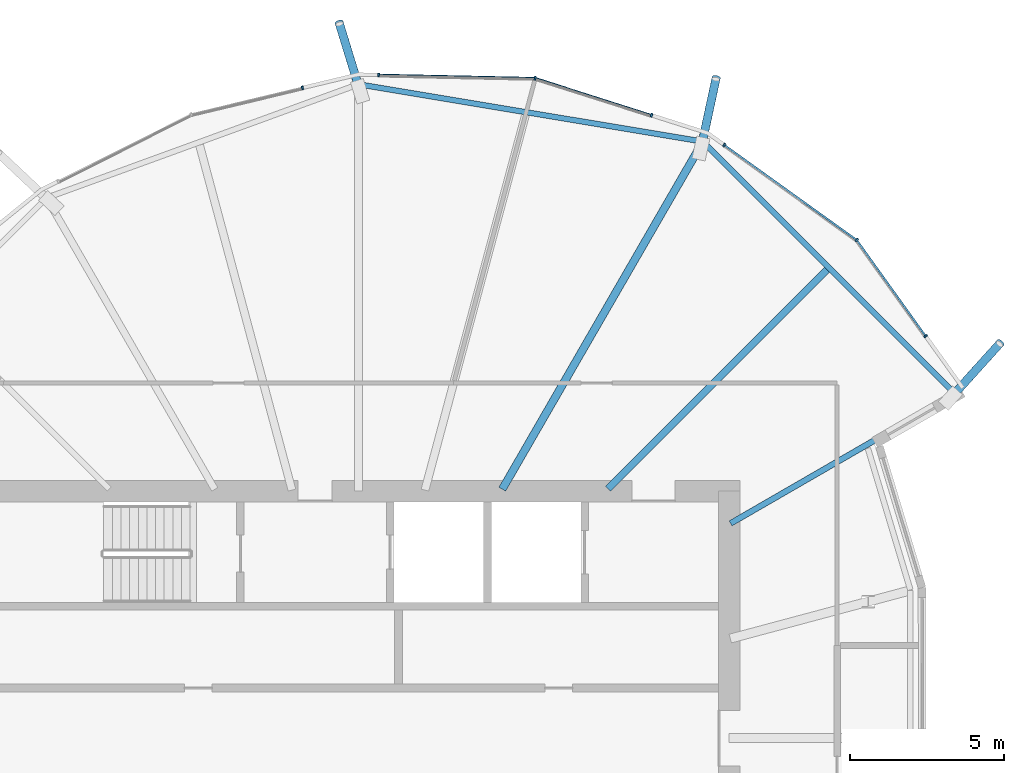
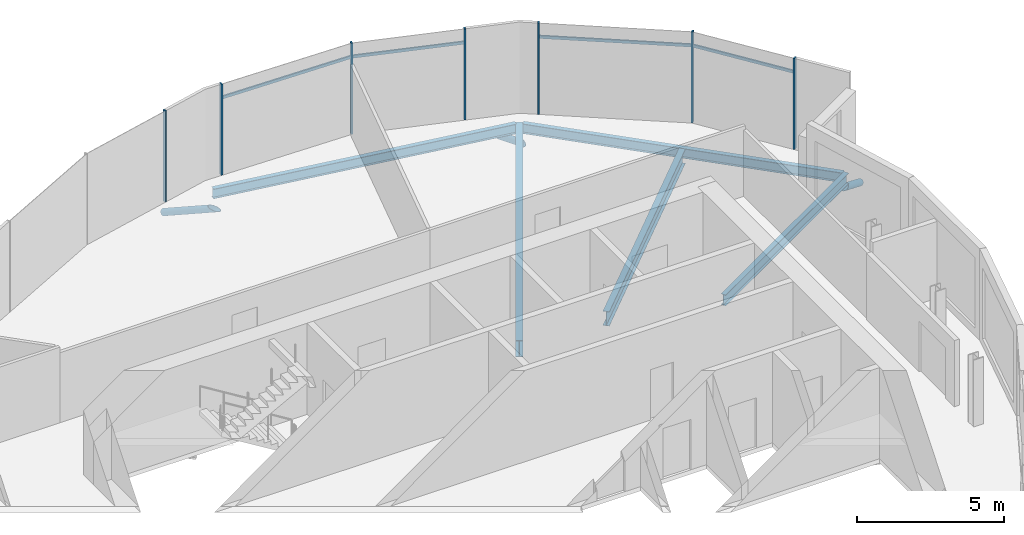
# One storey, part 18 of 40: 14 members, 5 beams, 1 element without a shape of its own.
"""IFC4 building model written with IfcOpenShell, lengths in metres."""

from ifc_helpers import new_model, si_unit, direction, frame, origin, origin_2d, place, context, subcontext, project, spatial, rectangle, hollow_circle, i_section, extrude, clip, halfspace, material, material_profile, profile_set, type_object, element, aggregate, save


model = new_model("IFC4")

# Units and contexts
model_context = context("Model", 3, precision=1e-05, world=origin(), true_north=direction((0.0, 1.0)))
body_context = subcontext(model_context, "Body", "Model", "MODEL_VIEW")
ifc_project = project(units=[si_unit("LENGTHUNIT", "METRE"), si_unit("AREAUNIT", "SQUARE_METRE"), si_unit("VOLUMEUNIT", "CUBIC_METRE"), si_unit("PLANEANGLEUNIT", "RADIAN"), si_unit("MASSUNIT", "GRAM", prefix="KILO")], contexts=[model_context])

# Site, building, storey
site_placement = place(None, origin())
site = spatial("IfcSite", under=ifc_project, at=site_placement, CompositionType="ELEMENT")
building_placement = place(site_placement, origin())
building = spatial("IfcBuilding", under=site, at=building_placement, Name="Rimbun Link Towers", CompositionType="ELEMENT")
storey_placement = place(building_placement, frame((0.0, 0.0, 150.60009765625)))
storey = spatial("IfcBuildingStorey", under=building, at=storey_placement, Name="L36", CompositionType="ELEMENT", Elevation=150.60009765625)

# Curtain wall, members
ifc_material_1 = material(Name="Aluminium 6063-T6 and low-iron glass", Category="aluminium")
curtain_wall_type = type_object("IfcCurtainWallType", Name="CW4 link block wall", PredefinedType="NOTDEFINED", material=ifc_material_1)
curtain_wall_placement = place(storey_placement, origin())
curtain_wall = element("IfcCurtainWall", 1, at=curtain_wall_placement, inside=storey, type_object=curtain_wall_type, Name="CW4 L36 T2", PredefinedType="NOTDEFINED")
ifc_material_2 = material(Name="Aluminium 6063-T6", Category="aluminium")
ifc_material_profile_1 = material_profile(ifc_material_2, rectangle(XDim=0.1201171875, YDim=0.06005859375, at=origin_2d()), Name="MULLION 60X120")
ifc_profile_set_1 = profile_set([ifc_material_profile_1], Name="Aluminium 6063-T6")
member_type_1 = type_object("IfcMemberType", Name="CW4 mullion 60X120", PredefinedType="MULLION", material=ifc_profile_set_1)
member_1_placement = place(storey_placement, frame((43.593994140625, 19.208984375, 0.0), z_axis=(0.0, 0.0, 1.0), x_axis=(0.58300948996, 0.81246534364, 0.0)))
member_1 = element("IfcMember", 2, at=member_1_placement, type_object=member_type_1, Name="CW4 mullion", PredefinedType="MULLION", context=body_context, shape_type="SweptSolid", body=[
    extrude(rectangle(XDim=0.1201171875, YDim=0.06005859375, at=origin_2d()), origin(), (0.0, 0.0, 1.0), 3.7998046875),
])
member_2_placement = place(storey_placement, frame((47.881591796875, 16.131591796875, 0.0), z_axis=(0.0, 0.0, 1.0), x_axis=(0.707106781187, 0.707106781187, 0.0)))
member_2 = element("IfcMember", 3, at=member_2_placement, type_object=member_type_1, Name="CW4 mullion", PredefinedType="MULLION", context=body_context, shape_type="SweptSolid", body=[
    extrude(rectangle(XDim=0.1201171875, YDim=0.06005859375, at=origin_2d()), origin(), (0.0, 0.0, 1.0), 3.7998046875),
])
member_3_placement = place(storey_placement, frame((37.469970703125, 21.3701171875, 0.0), z_axis=(0.0, 0.0, 1.0), x_axis=(0.163742365799, 0.986503136154, 0.0)))
member_3 = element("IfcMember", 4, at=member_3_placement, type_object=member_type_1, Name="CW4 mullion", PredefinedType="MULLION", context=body_context, shape_type="SweptSolid", body=[
    extrude(rectangle(XDim=0.1201171875, YDim=0.06005859375, at=origin_2d()), origin(), (0.0, 0.0, 1.0), 3.7998046875),
])
member_4_placement = place(storey_placement, frame((41.238525390625, 20.17236328125, 0.0), z_axis=(0.0, 0.0, 1.0), x_axis=(0.303059612182, 0.952971600555, 0.0)))
member_4 = element("IfcMember", 5, at=member_4_placement, type_object=member_type_1, Name="CW4 mullion", PredefinedType="MULLION", context=body_context, shape_type="SweptSolid", body=[
    extrude(rectangle(XDim=0.1201171875, YDim=0.06005859375, at=origin_2d()), origin(), (0.0, 0.0, 1.0), 3.7998046875),
])
member_5_placement = place(storey_placement, frame((32.401123046875, 21.4775390625, 0.0), z_axis=(0.0, 0.0, 1.0), x_axis=(0.021062889527, 0.999778152734, 0.0)))
member_5 = element("IfcMember", 6, at=member_5_placement, type_object=member_type_1, Name="CW4 mullion", PredefinedType="MULLION", context=body_context, shape_type="SweptSolid", body=[
    extrude(rectangle(XDim=0.1201171875, YDim=0.06005859375, at=origin_2d()), origin(), (0.0, 0.0, 1.0), 3.7998046875),
])
member_6_placement = place(storey_placement, frame((29.936767578125, 21.059326171875, 0.0), z_axis=(0.0, 0.0, 1.0), x_axis=(-0.232587665973, 0.972575435448, 0.0)))
member_6 = element("IfcMember", 7, at=member_6_placement, type_object=member_type_1, Name="CW4 mullion", PredefinedType="MULLION", context=body_context, shape_type="SweptSolid", body=[
    extrude(rectangle(XDim=0.1201171875, YDim=0.06005859375, at=origin_2d()), origin(), (0.0, 0.0, 1.0), 3.7998046875),
])
member_7_placement = place(storey_placement, frame((50.11376953125, 13.022216796875, 0.0), z_axis=(0.0, 0.0, 1.0), x_axis=(0.81246534364, 0.58300948996, 0.0)))
member_7 = element("IfcMember", 8, at=member_7_placement, type_object=member_type_1, Name="CW4 mullion", PredefinedType="MULLION", context=body_context, shape_type="SweptSolid", body=[
    extrude(rectangle(XDim=0.1201171875, YDim=0.06005859375, at=origin_2d()), origin(), (0.0, 0.0, 1.0), 3.7998046875),
])
ifc_material_3 = material(Name="Aluminium 6063-T6", Category="aluminium")
ifc_material_profile_2 = material_profile(ifc_material_3, rectangle(XDim=0.06005859375, YDim=0.1201171875, at=origin_2d()), Name="TRANSOM 60X120")
ifc_profile_set_2 = profile_set([ifc_material_profile_2], Name="Aluminium 6063-T6")
member_type_2 = type_object("IfcMemberType", Name="CW4 transom 60X120", PredefinedType="USERDEFINED", material=ifc_profile_set_2)
member_8_placement = place(storey_placement, frame((43.6171875, 19.18994140625, 3.199951171875), z_axis=(0.812489980296, -0.58297515549, 0.0), x_axis=(0.58297515549, 0.812489980296, 0.0)))
member_8 = element("IfcMember", 9, at=member_8_placement, type_object=member_type_2, Name="CW4 transom", ObjectType="TRANSOM", PredefinedType="USERDEFINED", context=body_context, shape_type="SweptSolid", body=[
    extrude(rectangle(XDim=0.06005859375, YDim=0.1201171875, at=origin_2d()), origin(), (0.0, 0.0, 1.0), 5.2080078125),
])
member_9_placement = place(storey_placement, frame((37.50634765625, 21.357177734375, 3.199951171875), z_axis=(0.952959606223, -0.303097325801, 0.0), x_axis=(0.303097325801, 0.952959606223, 0.0)))
member_9 = element("IfcMember", 10, at=member_9_placement, type_object=member_type_2, Name="CW4 transom", ObjectType="TRANSOM", PredefinedType="USERDEFINED", context=body_context, shape_type="SweptSolid", body=[
    extrude(rectangle(XDim=0.06005859375, YDim=0.1201171875, at=origin_2d()), origin(), (0.0, 0.0, 1.0), 3.8857421875),
])
member_10_placement = place(storey_placement, frame((32.43115234375, 21.474853515625, 3.199951171875), z_axis=(0.99977865077, -0.021039236291, 0.0), x_axis=(0.021039236291, 0.99977865077, 0.0)))
member_10 = element("IfcMember", 11, at=member_10_placement, type_object=member_type_2, Name="CW4 transom", ObjectType="TRANSOM", PredefinedType="USERDEFINED", context=body_context, shape_type="SweptSolid", body=[
    extrude(rectangle(XDim=0.06005859375, YDim=0.1201171875, at=origin_2d()), origin(), (0.0, 0.0, 1.0), 5.00146484375),
])
member_11_placement = place(storey_placement, frame((47.90380859375, 16.0986328125, 3.199951171875), z_axis=(0.583006708958, -0.812467339227, 0.0), x_axis=(0.812467339227, 0.583006708958, 0.0)))
member_11 = element("IfcMember", 12, at=member_11_placement, type_object=member_type_2, Name="CW4 transom", ObjectType="TRANSOM", PredefinedType="USERDEFINED", context=body_context, shape_type="SweptSolid", body=[
    extrude(rectangle(XDim=0.06005859375, YDim=0.1201171875, at=origin_2d()), origin(), (0.0, 0.0, 1.0), 3.758056640625),
])
aggregate(curtain_wall, [member_1, member_2, member_3, member_4, member_5, member_6, member_7, member_8, member_9, member_10, member_11])

# Members
ifc_material_4 = material(Name="Steel S355J2H", Category="steel")
ifc_material_profile_3 = material_profile(ifc_material_4, hollow_circle(Radius=0.136474609375, WallThickness=0.012451171875, at=origin_2d()), Name="CHS 273x12.5")
ifc_profile_set_3 = profile_set([ifc_material_profile_3], Name="Steel S355J2H")
member_type_3 = type_object("IfcMemberType", Name="Floor edge link CHS 273x12.5", PredefinedType="BRACE", material=ifc_profile_set_3)
member_12_placement = place(storey_placement, frame((42.878173828125, 19.2744140625, -0.983154296875), z_axis=(0.185106806018, 0.859969179591, -0.475592767522), x_axis=(-0.977609226112, 0.210428612646, 0.0)))
element("IfcMember", 13, at=member_12_placement, inside=storey, type_object=member_type_3, Name="Floor edge link T2 L36 01", PredefinedType="BRACE", context=body_context, shape_type="Clipping", body=[
    clip(extrude(hollow_circle(Radius=0.136474609375, WallThickness=0.012451171875, at=origin_2d()), frame((0.0, 0.0, -0.526123046875)), (0.0, 0.0, 1.0), 2.9912109375), halfspace(frame((0.0, 0.0, -0.2470703125), z_axis=(0.0, 0.879665572522, -0.475592767522)), False)),
])
member_13_placement = place(storey_placement, frame((31.75, 21.124267578125, -0.983154296875), z_axis=(-0.257222753937, 0.840161297453, -0.477457274653), x_axis=(-0.956190232902, -0.292746030721, 0.0)))
element("IfcMember", 14, at=member_13_placement, inside=storey, type_object=member_type_3, Name="Floor edge link T2 L36 03", PredefinedType="BRACE", context=body_context, shape_type="Clipping", body=[
    clip(extrude(hollow_circle(Radius=0.136474609375, WallThickness=0.012451171875, at=origin_2d()), frame((0.0, 0.0, -0.523193359375)), (0.0, 0.0, 1.0), 2.97216796875), halfspace(frame((0.0, 0.0, -0.24609375), z_axis=(0.0, 0.878654966913, -0.477457274653)), False)),
])
member_14_placement = place(storey_placement, frame((51.0244140625, 11.128173828125, -0.749755859375), z_axis=(0.57249170248, 0.634287971315, -0.519549824403), x_axis=(-0.742343354251, 0.670019659711, 0.0)))
element("IfcMember", 15, at=member_14_placement, inside=storey, type_object=member_type_3, Name="Floor edge link T2 L36 23", PredefinedType="BRACE", context=body_context, shape_type="Clipping", body=[
    clip(extrude(hollow_circle(Radius=0.136474609375, WallThickness=0.012451171875, at=origin_2d()), frame((0.0, 0.0, -0.46826171875)), (0.0, 0.0, 1.0), 3.115234375), halfspace(frame((0.0, 0.0, -0.219970703125), z_axis=(0.0, 0.85444015587, -0.519549824403)), False)),
])

# Beams
ifc_material_5 = material(Name="Steel S355J2", Category="steel")
ifc_material_profile_4 = material_profile(ifc_material_5, i_section(OverallWidth=0.177978515625, OverallDepth=0.406494140625, WebThickness=0.0078125, FlangeThickness=0.0126953125, at=origin_2d()), Name="UB 406x178x60")
ifc_profile_set_4 = profile_set([ifc_material_profile_4], Name="Steel S355J2")
beam_type_1 = type_object("IfcBeamType", Name="UB 406x178x60", PredefinedType="BEAM", material=ifc_profile_set_4)
beam_1_placement = place(storey_placement, frame((42.768310546875, 19.340087890625, -0.38330078125), z_axis=(-0.986428565944, 0.16419099942, 0.0), x_axis=(-0.16419099942, -0.986428565944, 0.0)))
element("IfcBeam", 16, at=beam_1_placement, inside=storey, type_object=beam_type_1, Name="Edge beam T2 L36 01-03", PredefinedType="BEAM", context=body_context, shape_type="SweptSolid", body=[
    extrude(i_section(OverallWidth=0.177978515625, OverallDepth=0.406494140625, WebThickness=0.0078125, FlangeThickness=0.0126953125, at=origin_2d()), origin(), (0.0, 0.0, 1.0), 11.04052734375),
])
beam_2_placement = place(storey_placement, frame((50.997314453125, 11.223388671875, -0.38330078125), z_axis=(-0.707106781187, 0.707106781187, 0.0), x_axis=(-0.707106781187, -0.707106781187, 0.0)))
element("IfcBeam", 17, at=beam_2_placement, inside=storey, type_object=beam_type_1, Name="Edge beam T2 L36 23-01", PredefinedType="BEAM", context=body_context, shape_type="SweptSolid", body=[
    extrude(i_section(OverallWidth=0.177978515625, OverallDepth=0.406494140625, WebThickness=0.0078125, FlangeThickness=0.0126953125, at=origin_2d()), origin(), (0.0, 0.0, 1.0), 11.314697265625),
])
ifc_material_6 = material(Name="Steel S355J2", Category="steel")
ifc_material_profile_5 = material_profile(ifc_material_6, i_section(OverallWidth=0.18994140625, OverallDepth=0.453369140625, WebThickness=0.008544921875, FlangeThickness=0.0126953125, at=origin_2d()), Name="UB 457x191x67")
ifc_profile_set_5 = profile_set([ifc_material_profile_5], Name="Steel S355J2")
beam_type_2 = type_object("IfcBeamType", Name="UB 457x191x67", PredefinedType="BEAM", material=ifc_profile_set_5)
beam_3_placement = place(storey_placement, frame((43.79833984375, 6.9560546875, -0.40673828125), z_axis=(0.866020419704, 0.500008632582, 0.0), x_axis=(-0.500008632582, 0.866020419704, 0.0)))
element("IfcBeam", 18, at=beam_3_placement, inside=storey, type_object=beam_type_2, Name="Radial beam T2 L36 23", PredefinedType="BEAM", context=body_context, shape_type="SweptSolid", body=[
    extrude(i_section(OverallWidth=0.18994140625, OverallDepth=0.453369140625, WebThickness=0.008544921875, FlangeThickness=0.0126953125, at=origin_2d()), origin(), (0.0, 0.0, 1.0), 8.393798828125),
])
ifc_material_7 = material(Name="Steel S355J2", Category="steel")
ifc_material_profile_6 = material_profile(ifc_material_7, i_section(OverallWidth=0.2275390625, OverallDepth=0.6025390625, WebThickness=0.010498046875, FlangeThickness=0.014892578125, at=origin_2d()), Name="UB 610x229x101")
ifc_profile_set_6 = profile_set([ifc_material_profile_6], Name="Steel S355J2")
beam_type_3 = type_object("IfcBeamType", Name="UB 610x229x101", PredefinedType="BEAM", material=ifc_profile_set_6)
beam_4_placement = place(storey_placement, frame((39.831298828125, 8.081298828125, -0.4814453125), z_axis=(0.707106781187, 0.707106781187, 0.0), x_axis=(-0.707106781187, 0.707106781187, 0.0)))
element("IfcBeam", 19, at=beam_4_placement, inside=storey, type_object=beam_type_3, Name="Radial beam T2 L36 00", PredefinedType="BEAM", context=body_context, shape_type="SweptSolid", body=[
    extrude(i_section(OverallWidth=0.2275390625, OverallDepth=0.6025390625, WebThickness=0.010498046875, FlangeThickness=0.014892578125, at=origin_2d()), origin(), (0.0, 0.0, 1.0), 10.02734375),
])
ifc_material_8 = material(Name="Steel S355J2", Category="steel")
ifc_material_profile_7 = material_profile(ifc_material_8, i_section(OverallWidth=0.253662109375, OverallDepth=0.68359375, WebThickness=0.012451171875, FlangeThickness=0.01904296875, at=origin_2d()), Name="UB 686x254x140")
ifc_profile_set_7 = profile_set([ifc_material_profile_7], Name="Steel S355J2")
beam_type_4 = type_object("IfcBeamType", Name="UB 686x254x140", PredefinedType="BEAM", material=ifc_profile_set_7)
beam_5_placement = place(storey_placement, frame((36.406005859375, 8.064208984375, -0.52197265625), z_axis=(0.499994598707, 0.8660285222, 0.0), x_axis=(-0.8660285222, 0.499994598707, 0.0)))
element("IfcBeam", 20, at=beam_5_placement, inside=storey, type_object=beam_type_4, Name="Radial beam T2 L36 01", PredefinedType="BEAM", context=body_context, shape_type="SweptSolid", body=[
    extrude(i_section(OverallWidth=0.253662109375, OverallDepth=0.68359375, WebThickness=0.012451171875, FlangeThickness=0.01904296875, at=origin_2d()), origin(), (0.0, 0.0, 1.0), 12.994384765625),
])

save(model, "model.ifc")
